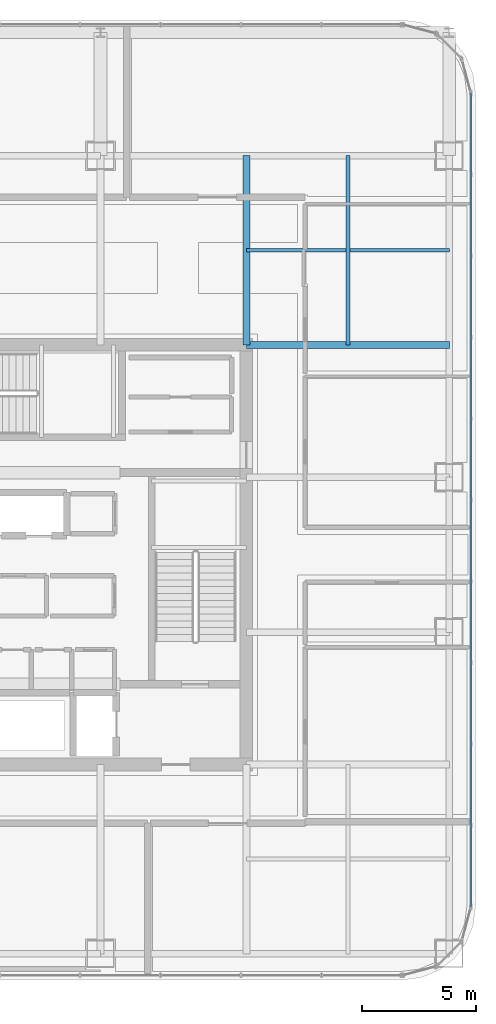
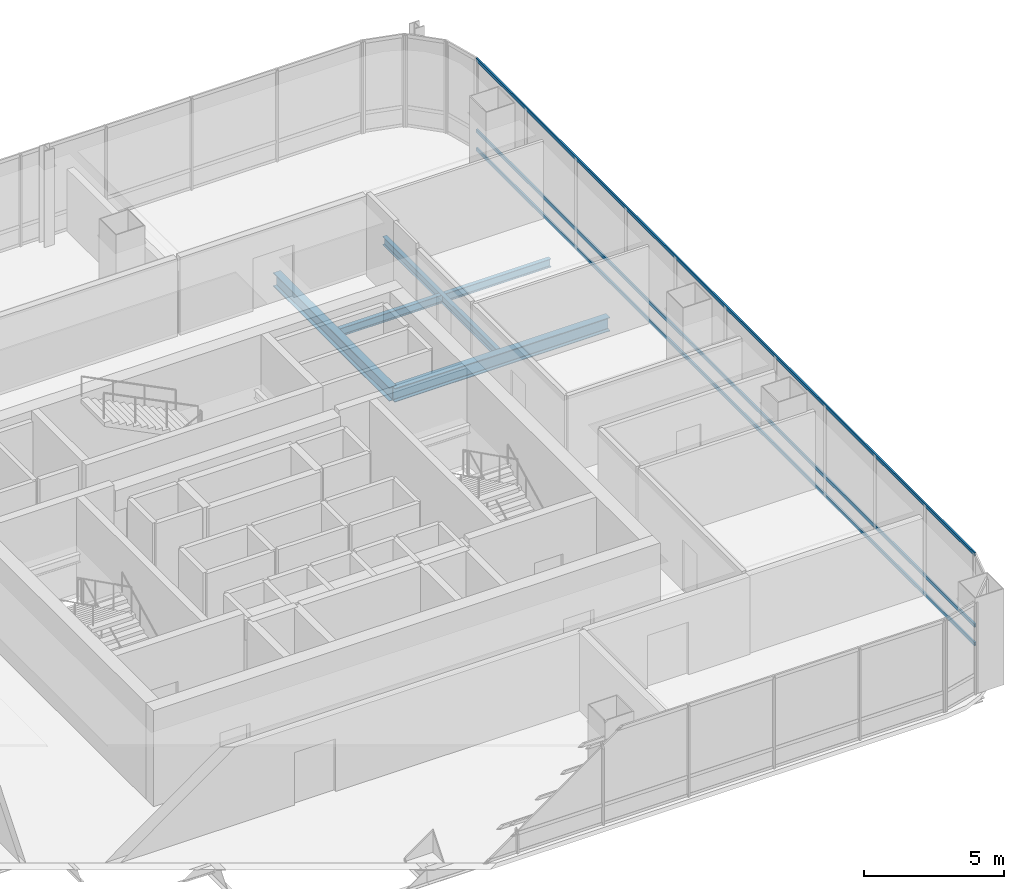
# One storey, part 19 of 42: 4 beams, 3 members, 1 element without a shape of its own.
"""IFC4 building model written with IfcOpenShell, lengths in metres."""

from ifc_helpers import new_model, si_unit, direction, frame, origin, origin_2d, place, context, subcontext, project, spatial, hollow_rectangle, i_section, extrude, material, material_profile, profile_set, type_object, element, aggregate, save


model = new_model("IFC4")

# Units and contexts
model_context = context("Model", 3, precision=1e-05, world=origin(), true_north=direction((0.0, 1.0)))
body_context = subcontext(model_context, "Body", "Model", "MODEL_VIEW")
ifc_project = project(units=[si_unit("LENGTHUNIT", "METRE"), si_unit("AREAUNIT", "SQUARE_METRE"), si_unit("VOLUMEUNIT", "CUBIC_METRE"), si_unit("PLANEANGLEUNIT", "RADIAN"), si_unit("MASSUNIT", "GRAM", prefix="KILO")], contexts=[model_context])

# Site, building, storey
site_placement = place(None, origin())
site = spatial("IfcSite", under=ifc_project, at=site_placement, CompositionType="ELEMENT")
building_placement = place(site_placement, origin())
building = spatial("IfcBuilding", under=site, at=building_placement, Name="Punatoya Terracotta Tower", CompositionType="ELEMENT")
storey_placement = place(building_placement, frame((0.0, 0.0, 304.800048828125)))
storey = spatial("IfcBuildingStorey", under=building, at=storey_placement, Name="L72", CompositionType="ELEMENT", Elevation=304.800048828125)

# Beams
ifc_material_1 = material(Name="Steel S355", Category="steel")
ifc_material_profile_1 = material_profile(ifc_material_1, i_section(OverallWidth=0.300048828125, OverallDepth=0.60009765625, WebThickness=0.015380859375, FlangeThickness=0.030029296875, FilletRadius=0.01806640625, at=origin_2d()))
ifc_profile_set_1 = profile_set([ifc_material_profile_1], Name="Steel S355")
beam_type_1 = type_object("IfcBeamType", Name="BM-PRI-600", PredefinedType="BEAM", material=ifc_profile_set_1)
beam_1_placement = place(storey_placement, frame((10.199951171875, 9.199951171875, -0.5), z_axis=(1.0, 0.0, 0.0), x_axis=(0.0, 1.0, 0.0)))
element("IfcBeam", 1, at=beam_1_placement, inside=storey, type_object=beam_type_1, Name="BM-L72-PR-EN", PredefinedType="BEAM", context=body_context, shape_type="SweptSolid", body=[
    extrude(i_section(OverallWidth=0.300048828125, OverallDepth=0.60009765625, WebThickness=0.015380859375, FlangeThickness=0.030029296875, FilletRadius=0.01806640625, at=origin_2d()), origin(), (0.0, 0.0, 1.0), 8.900146484375),
])
beam_2_placement = place(storey_placement, frame((10.199951171875, 9.199951171875, -0.5), z_axis=(0.0, 1.0, 0.0), x_axis=(-1.0, 0.0, 0.0)))
element("IfcBeam", 2, at=beam_2_placement, inside=storey, type_object=beam_type_1, Name="BM-L72-PR-N4", PredefinedType="BEAM", context=body_context, shape_type="SweptSolid", body=[
    extrude(i_section(OverallWidth=0.300048828125, OverallDepth=0.60009765625, WebThickness=0.015380859375, FlangeThickness=0.030029296875, FilletRadius=0.01806640625, at=origin_2d()), origin(), (0.0, 0.0, 1.0), 8.300048828125),
])
ifc_material_profile_2 = material_profile(ifc_material_1, i_section(OverallWidth=0.169921875, OverallDepth=0.360107421875, WebThickness=0.008056640625, FlangeThickness=0.0126953125, FilletRadius=0.01806640625, at=origin_2d()))
ifc_profile_set_2 = profile_set([ifc_material_profile_2], Name="Steel S355")
beam_type_2 = type_object("IfcBeamType", Name="BM-SEC-360", PredefinedType="JOIST", material=ifc_profile_set_2)
beam_3_placement = place(storey_placement, frame((10.199951171875, 13.35009765625, -0.380126953125), z_axis=(1.0, 0.0, 0.0), x_axis=(0.0, 1.0, 0.0)))
element("IfcBeam", 3, at=beam_3_placement, inside=storey, type_object=beam_type_2, Name="BM-L72-SJN-2", PredefinedType="JOIST", context=body_context, shape_type="SweptSolid", body=[
    extrude(i_section(OverallWidth=0.169921875, OverallDepth=0.360107421875, WebThickness=0.008056640625, FlangeThickness=0.0126953125, FilletRadius=0.01806640625, at=origin_2d()), origin(), (0.0, 0.0, 1.0), 8.900146484375),
])
beam_4_placement = place(storey_placement, frame((14.64990234375, 9.199951171875, -0.380126953125), z_axis=(0.0, 1.0, 0.0), x_axis=(-1.0, 0.0, 0.0)))
element("IfcBeam", 4, at=beam_4_placement, inside=storey, type_object=beam_type_2, Name="BM-L72-SJE-2", PredefinedType="JOIST", context=body_context, shape_type="SweptSolid", body=[
    extrude(i_section(OverallWidth=0.169921875, OverallDepth=0.360107421875, WebThickness=0.008056640625, FlangeThickness=0.0126953125, FilletRadius=0.01806640625, at=origin_2d()), origin(), (0.0, 0.0, 1.0), 8.300048828125),
])

# Curtain wall, members
ifc_material_2 = material(Name="Aluminium 6063-T6 + Double Low-E Glass", Category="aluminium")
curtain_wall_type = type_object("IfcCurtainWallType", Name="CW-M3", PredefinedType="NOTDEFINED", material=ifc_material_2)
curtain_wall_placement = place(storey_placement, origin())
curtain_wall = element("IfcCurtainWall", 5, at=curtain_wall_placement, inside=storey, type_object=curtain_wall_type, Name="L72 Curtain Wall CW-L72-E05-1", PredefinedType="NOTDEFINED")
ifc_material_3 = material(Name="Aluminium 6063-T6", Category="aluminium")
ifc_material_profile_3 = material_profile(ifc_material_3, hollow_rectangle(XDim=0.068115234375, YDim=0.14990234375, WallThickness=0.00390625, at=origin_2d()))
ifc_profile_set_3 = profile_set([ifc_material_profile_3], Name="Aluminium 6063-T6")
member_type = type_object("IfcMemberType", Name="CW-TRN-TYP", PredefinedType="USERDEFINED", material=ifc_profile_set_3)
member_1_placement = place(storey_placement, frame((20.050048828125, -15.43701171875, 0.0400390625), z_axis=(0.0, 1.0, 0.0), x_axis=(-1.0, 0.0, 0.0)))
member_1 = element("IfcMember", 6, at=member_1_placement, type_object=member_type, Name="CW-L72-E05-1 Transom 1", ObjectType="TRANSOM", PredefinedType="USERDEFINED", context=body_context, shape_type="SweptSolid", body=[
    extrude(hollow_rectangle(XDim=0.068115234375, YDim=0.14990234375, WallThickness=0.00390625, at=origin_2d()), origin(), (0.0, 0.0, 1.0), 35.673828125),
])
member_2_placement = place(storey_placement, frame((20.050048828125, -15.43701171875, 0.849853515625), z_axis=(0.0, 1.0, 0.0), x_axis=(-1.0, 0.0, 0.0)))
member_2 = element("IfcMember", 7, at=member_2_placement, type_object=member_type, Name="CW-L72-E05-1 Transom 2", ObjectType="TRANSOM", PredefinedType="USERDEFINED", context=body_context, shape_type="SweptSolid", body=[
    extrude(hollow_rectangle(XDim=0.068115234375, YDim=0.14990234375, WallThickness=0.00390625, at=origin_2d()), origin(), (0.0, 0.0, 1.0), 35.673828125),
])
member_3_placement = place(storey_placement, frame((20.050048828125, -15.43701171875, 3.9599609375), z_axis=(0.0, 1.0, 0.0), x_axis=(-1.0, 0.0, 0.0)))
member_3 = element("IfcMember", 8, at=member_3_placement, type_object=member_type, Name="CW-L72-E05-1 Transom 3", ObjectType="TRANSOM", PredefinedType="USERDEFINED", context=body_context, shape_type="SweptSolid", body=[
    extrude(hollow_rectangle(XDim=0.068115234375, YDim=0.14990234375, WallThickness=0.00390625, at=origin_2d()), origin(), (0.0, 0.0, 1.0), 35.673828125),
])
aggregate(curtain_wall, [member_1, member_2, member_3])

save(model, "model.ifc")
